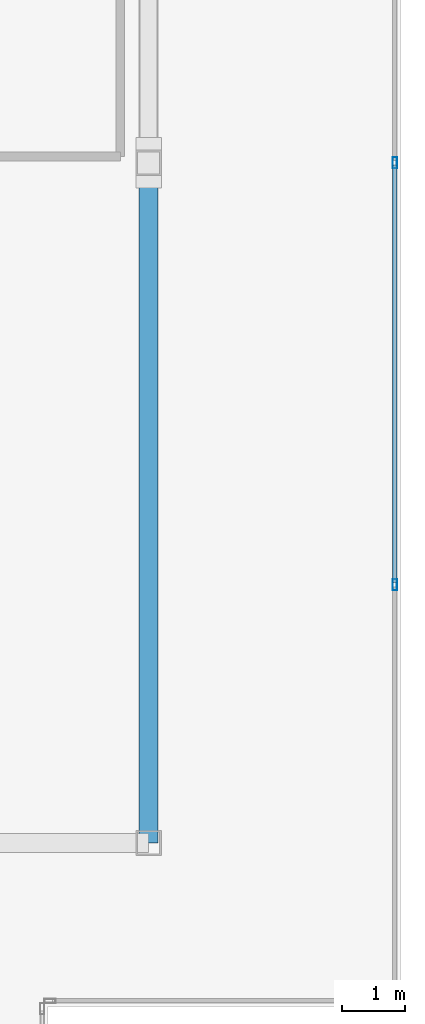
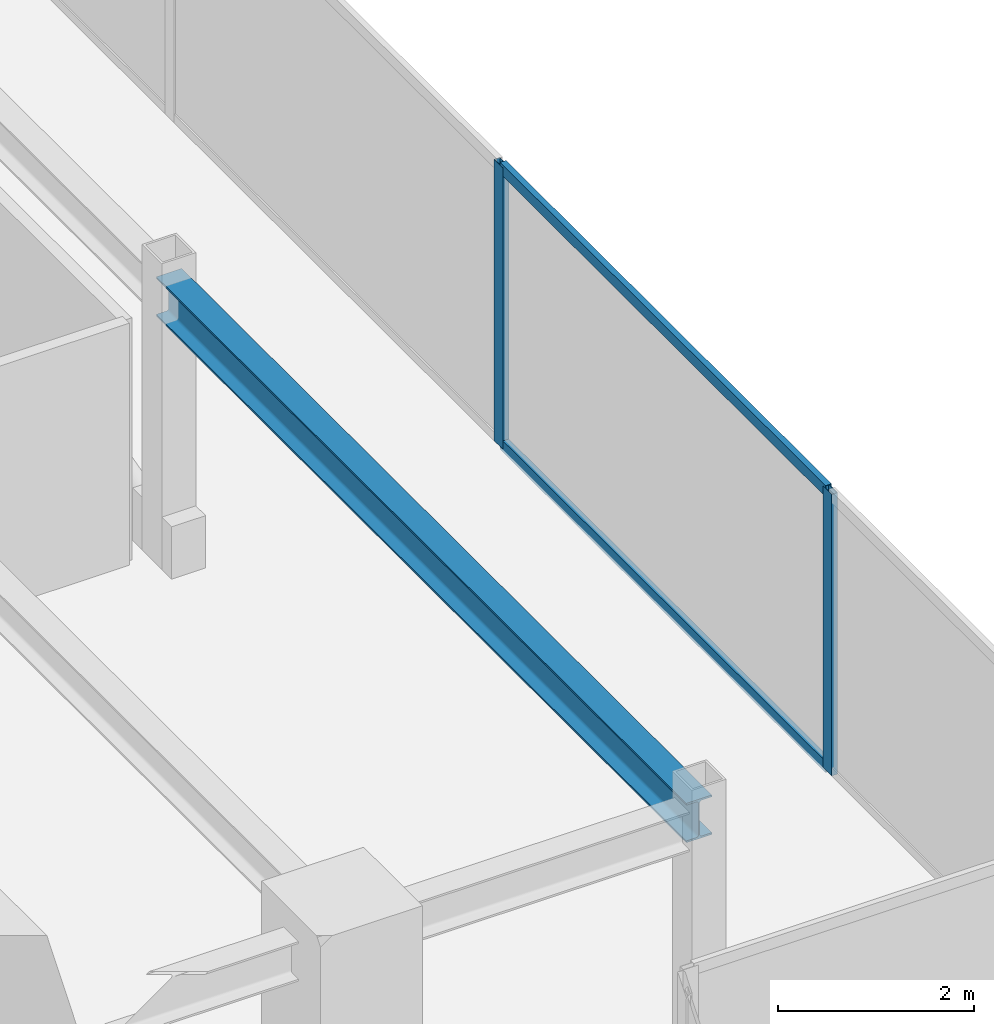
# One storey, part 17 of 25: 4 members, 1 beam, 1 element without a shape of its own.
"""IFC4 building model written with IfcOpenShell, lengths in metres."""

import ifcopenshell
import ifcopenshell.guid

model = None  # the IFC model being written
_history = None  # IfcOwnerHistory: only IFC2X3 demands one
_inside = {}  # id of a spatial element -> (the spatial element, [elements in it])
_under = {}  # id of a project, library or spatial element -> (it, [spatial elements below it])
_declared = {}  # id of a project -> (the project, [libraries it declares])
_typed = {}  # id of a type object -> (the type object, [elements of that type])
_made_of = {}  # id of a material, layer set ... -> (it, [elements and type objects made of it])


def new_model(schema):
    """Start an empty IFC model of exactly this schema.

    Asked for "IFC4X3", IfcOpenShell would pick the latest addendum, in which some entities
    have other attributes; the version numbers below select the first issue.
    IFC2X3 requires an IfcOwnerHistory on every rooted entity: one is made here for all.
    """
    global model, _history
    if schema == "IFC4X3":
        model = ifcopenshell.file(schema_version=(4, 3, 0, 0))
    else:
        model = ifcopenshell.file(schema=schema)
    _inside.clear()
    _under.clear()
    _declared.clear()
    _typed.clear()
    _made_of.clear()
    _history = None
    if model.schema == "IFC2X3":
        org = make("IfcOrganization", Name="unknown")
        user = make(
            "IfcPersonAndOrganization",
            ThePerson=make("IfcPerson", FamilyName="unknown"),
            TheOrganization=org,
        )
        app = make(
            "IfcApplication",
            ApplicationDeveloper=org,
            Version="unknown",
            ApplicationFullName="unknown",
            ApplicationIdentifier="unknown",
        )
        _history = make(
            "IfcOwnerHistory",
            OwningUser=user,
            OwningApplication=app,
            ChangeAction="ADDED",
            CreationDate=0,
        )
    return model


def make(cls, **values):
    """One entity of the class cls with the attributes given. An attribute that is None is left unset."""
    return model.create_entity(
        cls, **{name: value for name, value in values.items() if value is not None}
    )


def rooted(cls, **values):
    """An entity with a GlobalId (a new one), such as an element, a storey or a relation."""
    return make(cls, GlobalId=ifcopenshell.guid.new(), OwnerHistory=_history, **values)


def si_unit(unit_type, name, prefix=None):
    """IfcSIUnit, for example si_unit("LENGTHUNIT", "METRE", prefix="MILLI")."""
    return make("IfcSIUnit", UnitType=unit_type, Prefix=prefix, Name=name)


def assignment(units):
    """IfcUnitAssignment: the units of a project."""
    return None if units is None else make("IfcUnitAssignment", Units=units)


def point(xyz):
    """IfcCartesianPoint."""
    return None if xyz is None else make("IfcCartesianPoint", Coordinates=xyz)


def direction(xyz):
    """IfcDirection."""
    return None if xyz is None else make("IfcDirection", DirectionRatios=xyz)


def frame(location, z_axis=None, x_axis=None):
    """IfcAxis2Placement3D, a coordinate frame: its origin and axes. An axis left out is left unset."""
    return make(
        "IfcAxis2Placement3D",
        Location=point(location),
        Axis=direction(z_axis),
        RefDirection=direction(x_axis),
    )


def frame_2d(location, x_axis=None):
    """IfcAxis2Placement2D, a coordinate frame in the plane: its origin and x axis."""
    return make(
        "IfcAxis2Placement2D", Location=point(location), RefDirection=direction(x_axis)
    )


def origin():
    """The frame at (0, 0, 0) with its axes left unset."""
    return frame((0.0, 0.0, 0.0))


def origin_2d():
    """The frame at (0, 0) in the plane with its x axis left unset."""
    return frame_2d((0.0, 0.0))


def place(relative_to, where):
    """IfcLocalPlacement: puts the frame where relative to a parent placement (None: the world)."""
    return make(
        "IfcLocalPlacement", PlacementRelTo=relative_to, RelativePlacement=where
    )


def context(
    kind, dimensions, precision=None, world=None, true_north=None, identifier=None
):
    """IfcGeometricRepresentationContext, for example the 3D "Model" context."""
    return make(
        "IfcGeometricRepresentationContext",
        ContextIdentifier=identifier,
        ContextType=kind,
        CoordinateSpaceDimension=dimensions,
        Precision=precision,
        WorldCoordinateSystem=world,
        TrueNorth=true_north,
    )


def subcontext(parent, identifier, kind, view, scale=None):
    """IfcGeometricRepresentationSubContext, for example "Body" below "Model"."""
    return make(
        "IfcGeometricRepresentationSubContext",
        ContextIdentifier=identifier,
        ContextType=kind,
        ParentContext=parent,
        TargetScale=scale,
        TargetView=view,
    )


def project(units=None, contexts=None):
    """IfcProject with its units and contexts."""
    return rooted(
        "IfcProject",
        Name="project",
        RepresentationContexts=contexts,
        UnitsInContext=assignment(units),
    )


def spatial(cls, under=None, at=None, **own):
    """A site, building, storey or space (cls), placed at a placement, below another one or the project."""
    s = rooted(cls, ObjectPlacement=at, **own)
    if under is not None:
        _under.setdefault(under.id(), (under, []))[1].append(s)
    return s


def profile(cls, at=None, kind="AREA", **sizes):
    """A parametric profile (cls). Its sizes go by their IFC names, for example OverallWidth=200.0."""
    return make(cls, ProfileType=kind, Position=at, **sizes)


def hollow_rectangle(**sizes):
    """IfcRectangleHollowProfileDef."""
    return profile("IfcRectangleHollowProfileDef", **sizes)


def i_section(**sizes):
    """IfcIShapeProfileDef."""
    return profile("IfcIShapeProfileDef", **sizes)


def extrude(swept, where, along, depth):
    """IfcExtrudedAreaSolid: the profile swept, set in the frame where, extruded along a direction by depth."""
    return make(
        "IfcExtrudedAreaSolid",
        SweptArea=swept,
        Position=where,
        ExtrudedDirection=direction(along),
        Depth=depth,
    )


def shape(context_of_items, identifier, shape_type, items):
    """IfcShapeRepresentation: the items that make up one representation, for example the "Body"."""
    return make(
        "IfcShapeRepresentation",
        ContextOfItems=context_of_items,
        RepresentationIdentifier=identifier,
        RepresentationType=shape_type,
        Items=items,
    )


def source(mapping_origin, context_of_items, identifier, shape_type, items):
    """IfcRepresentationMap: a shape defined once, which mapped items show again and again."""
    return make(
        "IfcRepresentationMap",
        MappingOrigin=mapping_origin,
        MappedRepresentation=shape(context_of_items, identifier, shape_type, items),
    )


def transform(
    local_origin,
    x_axis=None,
    y_axis=None,
    z_axis=None,
    scale=None,
    scale2=None,
    scale3=None,
    uniform=True,
):
    """IfcCartesianTransformationOperator3D, or its non-uniform kind. x_axis, y_axis, z_axis: its Axis1, 2, 3."""
    if uniform:
        return make(
            "IfcCartesianTransformationOperator3D",
            Axis1=direction(x_axis),
            Axis2=direction(y_axis),
            LocalOrigin=point(local_origin),
            Scale=scale,
            Axis3=direction(z_axis),
        )
    return make(
        "IfcCartesianTransformationOperator3DnonUniform",
        Axis1=direction(x_axis),
        Axis2=direction(y_axis),
        LocalOrigin=point(local_origin),
        Scale=scale,
        Axis3=direction(z_axis),
        Scale2=scale2,
        Scale3=scale3,
    )


def mapped(mapping_source, mapping_target):
    """IfcMappedItem: shows the shape of a source again, moved by a transform."""
    return make(
        "IfcMappedItem", MappingSource=mapping_source, MappingTarget=mapping_target
    )


def material(Name=None, Category=None):
    """IfcMaterial."""
    return make("IfcMaterial", Name=Name, Category=Category)


def material_profile(
    of_material, cross_section, Name=None, Category=None, Priority=None
):
    """IfcMaterialProfile: a cross section and its material."""
    return make(
        "IfcMaterialProfile",
        Name=Name,
        Material=of_material,
        Profile=cross_section,
        Priority=Priority,
        Category=Category,
    )


def profile_set(profiles, Name=None, composite=None):
    """IfcMaterialProfileSet."""
    return make(
        "IfcMaterialProfileSet",
        Name=Name,
        MaterialProfiles=profiles,
        CompositeProfile=composite,
    )


def made_of(thing, what):
    """Note that an element or type object is made of a material, layer set ...; save() writes the relation."""
    if what is not None:
        _made_of.setdefault(what.id(), (what, []))[1].append(thing)
    return thing


def type_object(cls, material=None, **own):
    """A type object (cls), such as IfcWallType, which elements share."""
    return made_of(rooted(cls, **own), material)


def type_shapes(of_type, sources):
    """Give a type object the sources (RepresentationMaps) that its elements show as mapped items."""
    of_type.RepresentationMaps = sources


def element(
    cls,
    number,
    at=None,
    inside=None,
    cuts=None,
    type_object=None,
    material=None,
    context=None,
    identifier="Body",
    shape_type=None,
    held_by="IfcProductDefinitionShape",
    body=None,
    shapes=None,
    **own,
):
    """One element of the class cls, such as IfcWall. Its Tag is "e" and its number.

    at: its placement. inside: the storey or other place that contains it. cuts: it is an
    opening in that element (IfcRelVoidsElement). A single representation is given by context,
    identifier, shape_type and body (its items); several are given by shapes. held_by: the class
    of the entity that holds the representations. save() writes the other relations.
    """
    e = rooted(cls, Tag="e%d" % number, ObjectPlacement=at, **own)
    if body is not None:
        shapes = [shape(context, identifier, shape_type, body)]
    if shapes is not None:
        e.Representation = make(held_by, Representations=shapes)
    if inside is not None:
        _inside.setdefault(inside.id(), (inside, []))[1].append(e)
    if cuts is not None:
        rooted(
            "IfcRelVoidsElement", RelatingBuildingElement=cuts, RelatedOpeningElement=e
        )
    if type_object is not None:
        _typed.setdefault(type_object.id(), (type_object, []))[1].append(e)
    return made_of(e, material)


def aggregate(whole, parts):
    """IfcRelAggregates: a whole, such as a stair, and the parts it consists of."""
    return rooted("IfcRelAggregates", RelatingObject=whole, RelatedObjects=parts)


def save(model, path):
    """Write the relations noted so far, then the file.

    IfcRelAggregates (storeys below a building ...), IfcRelContainedInSpatialStructure (elements
    in a storey), IfcRelDefinesByType, IfcRelAssociatesMaterial and IfcRelDeclares: one each for
    every whole, place, type object, material and project.
    """
    for whole, parts in _under.values():
        aggregate(whole, parts)
    for where, things in _inside.values():
        rooted(
            "IfcRelContainedInSpatialStructure",
            RelatedElements=things,
            RelatingStructure=where,
        )
    for kind, things in _typed.values():
        rooted("IfcRelDefinesByType", RelatedObjects=things, RelatingType=kind)
    for what, things in _made_of.values():
        rooted("IfcRelAssociatesMaterial", RelatedObjects=things, RelatingMaterial=what)
    for by, libraries in _declared.values():
        rooted("IfcRelDeclares", RelatingContext=by, RelatedDefinitions=libraries)
    model.write(path)


model = new_model("IFC4")

# Units and contexts
model_context = context("Model", 3, precision=1e-05, world=origin(), true_north=direction((0.0, 1.0)))
body_context = subcontext(model_context, "Body", "Model", "MODEL_VIEW")
ifc_project = project(units=[si_unit("LENGTHUNIT", "METRE"), si_unit("AREAUNIT", "SQUARE_METRE"), si_unit("VOLUMEUNIT", "CUBIC_METRE"), si_unit("PLANEANGLEUNIT", "RADIAN"), si_unit("MASSUNIT", "GRAM", prefix="KILO")], contexts=[model_context])

# Site, building, storey
site_placement = place(None, origin())
site = spatial("IfcSite", under=ifc_project, at=site_placement, CompositionType="ELEMENT")
building_placement = place(site_placement, origin())
building = spatial("IfcBuilding", under=site, at=building_placement, Name="Krantzveldt Concourse Tower", CompositionType="ELEMENT")
storey_placement = place(building_placement, frame((0.0, 0.0, 370.85009765625)))
storey = spatial("IfcBuildingStorey", under=building, at=storey_placement, Name="L91", CompositionType="ELEMENT", Elevation=370.85009765625)

# Beam
ifc_material_1 = material(Name="Steel S355JR", Category="steel")
ifc_material_profile_1 = material_profile(ifc_material_1, i_section(OverallWidth=0.300048828125, OverallDepth=0.489990234375, WebThickness=0.011962890625, FlangeThickness=0.02294921875, FilletRadius=0.027099609375, at=origin_2d()), Name="Steel S355JR", Category="steel")
ifc_profile_set_1 = profile_set([ifc_material_profile_1], Name="Steel S355JR - HEA 500")
beam_type = type_object("IfcBeamType", Name="BM-B-HEA500", PredefinedType="BEAM", material=ifc_profile_set_1)
shared_shape_1 = source(origin(), body_context, "Body", "SweptSolid", [
    extrude(i_section(OverallWidth=0.300048828125, OverallDepth=0.489990234375, WebThickness=0.011962890625, FlangeThickness=0.02294921875, FilletRadius=0.027099609375, at=origin_2d()), origin(), (0.0, 0.0, 1.0), 10.800048828125),
])
type_shapes(beam_type, [shared_shape_1])
beam_placement = place(storey_placement, frame((51.0, 15.89990234375, 3.2548828125), z_axis=(0.0, 1.0, 0.0), x_axis=(-1.0, 0.0, 0.0)))
element("IfcBeam", 1, at=beam_placement, inside=storey, type_object=beam_type, Name="L91 Crown Girder EAST-1", PredefinedType="BEAM", context=body_context, shape_type="MappedRepresentation", body=[
    mapped(shared_shape_1, transform((0.0, 0.0, 0.0), x_axis=(1.0, 0.0, 0.0), y_axis=(0.0, 1.0, 0.0), z_axis=(0.0, 0.0, 1.0), scale=1.0)),
])

# Curtain wall, members
ifc_material_2 = material(Name="Anodised aluminium 6063-T6", Category="aluminium")
curtain_wall_type = type_object("IfcCurtainWallType", Name="CW7", PredefinedType="USERDEFINED", material=ifc_material_2)
curtain_wall_placement = place(storey_placement, origin())
curtain_wall = element("IfcCurtainWall", 2, at=curtain_wall_placement, inside=storey, type_object=curtain_wall_type, Name="CW-L91-EAST-03", ObjectType="UNITISED CURTAIN WALL", PredefinedType="USERDEFINED")
ifc_material_profile_2 = material_profile(ifc_material_2, hollow_rectangle(XDim=0.070068359375, YDim=0.139892578125, WallThickness=0.0048828125, at=origin_2d()), Name="Anodised aluminium 6063-T6", Category="aluminium")
ifc_profile_set_2 = profile_set([ifc_material_profile_2], Name="Anodised aluminium 6063-T6 - ALU-TRAN 140x70x5")
member_type_1 = type_object("IfcMemberType", Name="CW-TRN-150", PredefinedType="USERDEFINED", material=ifc_profile_set_2)
shared_shape_2 = source(origin(), body_context, "Body", "SweptSolid", [
    extrude(hollow_rectangle(XDim=0.070068359375, YDim=0.139892578125, WallThickness=0.0048828125, at=origin_2d()), origin(), (0.0, 0.0, 1.0), 6.630126953125),
])
type_shapes(member_type_1, [shared_shape_2])
member_1_placement = place(storey_placement, frame((54.909912109375, 20.034912109375, 0.034912109375), z_axis=(0.0, 1.0, 0.0), x_axis=(-1.0, 0.0, 0.0)))
member_1 = element("IfcMember", 3, at=member_1_placement, type_object=member_type_1, Name="CW-CRN transom 2.1", ObjectType="TRANSOM", PredefinedType="USERDEFINED", context=body_context, shape_type="MappedRepresentation", body=[
    mapped(shared_shape_2, transform((0.0, 0.0, 0.0), x_axis=(1.0, 0.0, 0.0), y_axis=(0.0, 1.0, 0.0), z_axis=(0.0, 0.0, 1.0), scale=1.0)),
])
member_2_placement = place(storey_placement, frame((54.909912109375, 20.034912109375, 3.46484375), z_axis=(0.0, 1.0, 0.0), x_axis=(-1.0, 0.0, 0.0)))
member_2 = element("IfcMember", 4, at=member_2_placement, type_object=member_type_1, Name="CW-CRN transom 2.2", ObjectType="TRANSOM", PredefinedType="USERDEFINED", context=body_context, shape_type="MappedRepresentation", body=[
    mapped(shared_shape_2, transform((0.0, 0.0, 0.0), x_axis=(1.0, 0.0, 0.0), y_axis=(0.0, 1.0, 0.0), z_axis=(0.0, 0.0, 1.0), scale=1.0)),
])
ifc_material_profile_3 = material_profile(ifc_material_2, hollow_rectangle(XDim=0.070068359375, YDim=0.179931640625, WallThickness=0.0048828125, at=origin_2d()), Name="Anodised aluminium 6063-T6", Category="aluminium")
ifc_profile_set_3 = profile_set([ifc_material_profile_3], Name="Anodised aluminium 6063-T6 - ALU-MULL 180x70x5")
member_type_2 = type_object("IfcMemberType", Name="CW-MUL-180", PredefinedType="MULLION", material=ifc_profile_set_3)
shared_shape_3 = source(origin(), body_context, "Body", "SweptSolid", [
    extrude(hollow_rectangle(XDim=0.070068359375, YDim=0.179931640625, WallThickness=0.0048828125, at=origin_2d()), origin(), (0.0, 0.0, 1.0), 3.5),
])
type_shapes(member_type_2, [shared_shape_3])
member_3_placement = place(storey_placement, frame((54.909912109375, 20.0, 0.0), z_axis=(0.0, 0.0, 1.0), x_axis=(-1.0, 0.0, 0.0)))
member_3 = element("IfcMember", 5, at=member_3_placement, type_object=member_type_2, Name="CW-CRN mullion 2", PredefinedType="MULLION", context=body_context, shape_type="MappedRepresentation", body=[
    mapped(shared_shape_3, transform((0.0, 0.0, 0.0), x_axis=(1.0, 0.0, 0.0), y_axis=(0.0, 1.0, 0.0), z_axis=(0.0, 0.0, 1.0), scale=1.0)),
])
member_4_placement = place(storey_placement, frame((54.909912109375, 26.699951171875, 0.0), z_axis=(0.0, 0.0, 1.0), x_axis=(-1.0, 0.0, 0.0)))
member_4 = element("IfcMember", 6, at=member_4_placement, type_object=member_type_2, Name="CW-CRN mullion 3", PredefinedType="MULLION", context=body_context, shape_type="MappedRepresentation", body=[
    mapped(shared_shape_3, transform((0.0, 0.0, 0.0), x_axis=(1.0, 0.0, 0.0), y_axis=(0.0, 1.0, 0.0), z_axis=(0.0, 0.0, 1.0), scale=1.0)),
])
aggregate(curtain_wall, [member_3, member_4, member_1, member_2])

save(model, "model.ifc")
